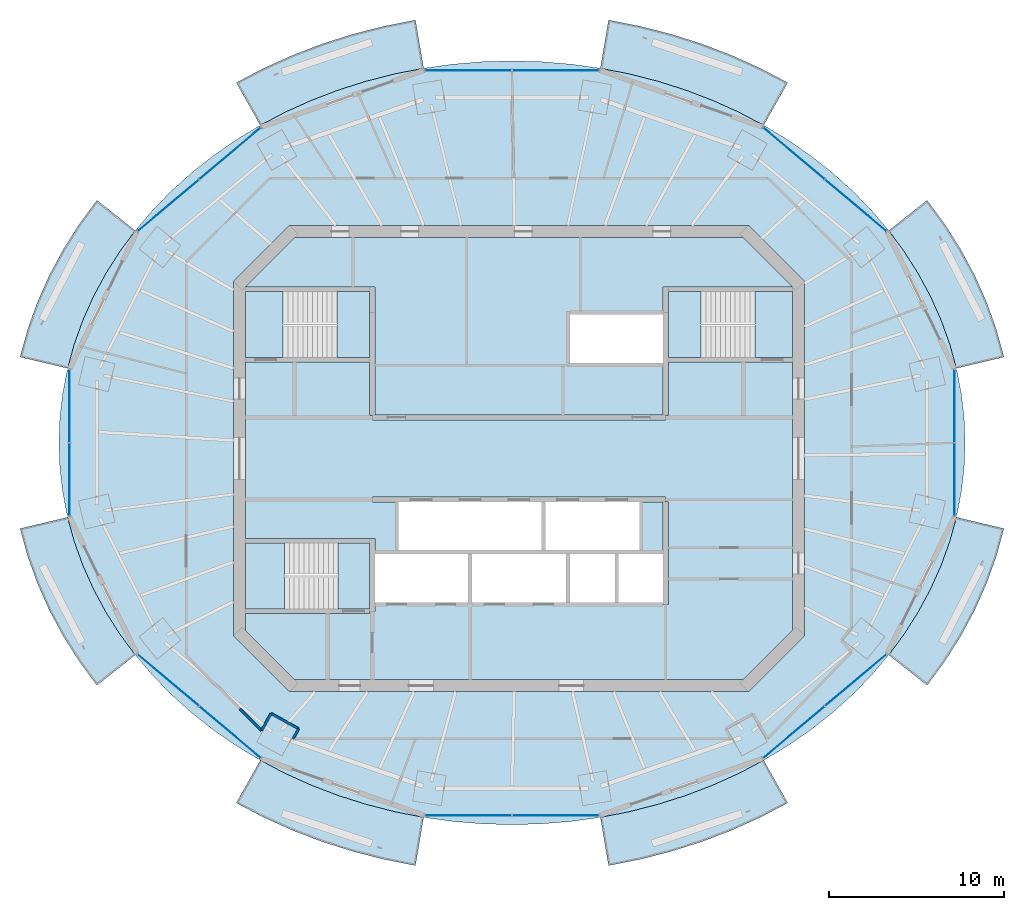
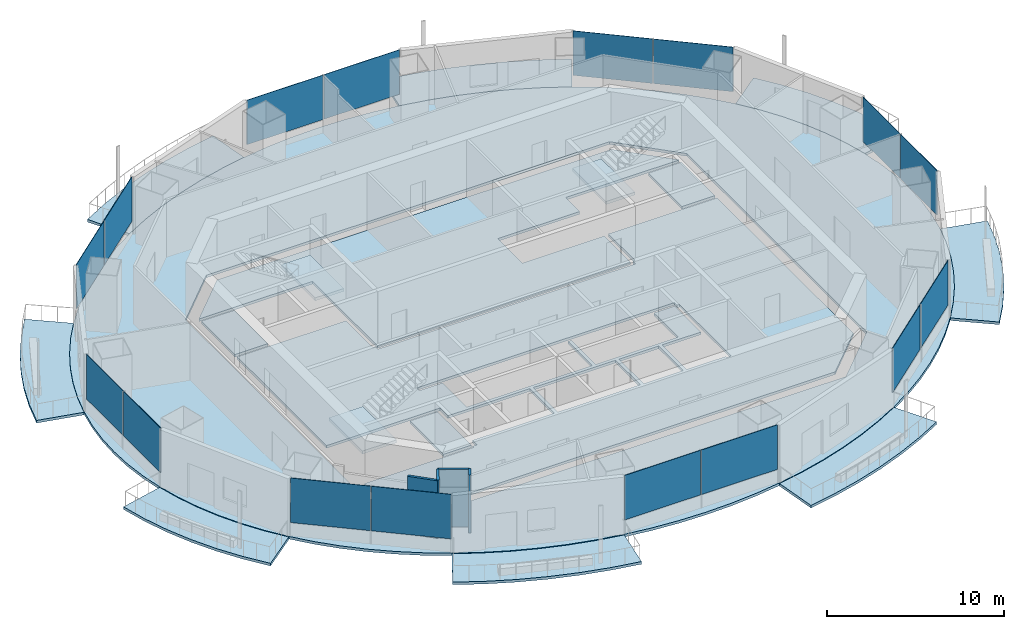
# One storey, part 7 of 16: 17 slabs, 16 plates, 4 walls, 11 elements without a shape of their own.
"""IFC4 building model written with IfcOpenShell, lengths in metres."""

from ifc_helpers import new_model, si_unit, direction, frame, frame_2d, origin, origin_2d, place, context, subcontext, project, spatial, polyline, rectangle, outline, extrude, material, layer, layer_set, type_object, element, aggregate, save


model = new_model("IFC4")

# Units and contexts
model_context = context("Model", 3, precision=1e-05, world=origin(), true_north=direction((0.0, 1.0)))
body_context = subcontext(model_context, "Body", "Model", "MODEL_VIEW")
ifc_project = project(units=[si_unit("LENGTHUNIT", "METRE"), si_unit("AREAUNIT", "SQUARE_METRE"), si_unit("VOLUMEUNIT", "CUBIC_METRE"), si_unit("PLANEANGLEUNIT", "RADIAN"), si_unit("MASSUNIT", "GRAM", prefix="KILO")], contexts=[model_context])

# Site, building, storey
site_placement = place(None, origin())
site = spatial("IfcSite", under=ifc_project, at=site_placement, CompositionType="ELEMENT")
building_placement = place(site_placement, origin())
building = spatial("IfcBuilding", under=site, at=building_placement, Name="Marenthal Gate Tower", CompositionType="ELEMENT")
storey_placement = place(building_placement, frame((0.0, 0.0, 371.64990234375)))
storey = spatial("IfcBuildingStorey", under=building, at=storey_placement, Name="L84", CompositionType="ELEMENT", Elevation=371.64990234375)

# Slabs
ifc_material_1 = material(Name="Concrete 40 MPa", Category="concrete")
ifc_layer_1 = layer(ifc_material_1, 0.179931640625)
ifc_layer_set_1 = layer_set([ifc_layer_1], Name="Balcony deck 180")
slab_type_1 = type_object("IfcSlabType", Name="Balcony deck 180", PredefinedType="USERDEFINED", material=ifc_layer_set_1)
slab_1_placement = place(storey_placement, frame((0.0, 0.0, -0.219970703125)))
element("IfcSlab", 1, at=slab_1_placement, inside=storey, type_object=slab_type_1, Name="Balcony deck L84 bay 1", ObjectType="BALCONY", PredefinedType="USERDEFINED", context=body_context, shape_type="SweptSolid", body=[
    extrude(outline(polyline([(25.04345703125, 5.16552734375), (24.657958984375, 6.55908203125), (24.165283203125, 7.92822265625), (23.5673828125, 9.267333984375), (22.86669921875, 10.570556640625), (22.06640625, 11.83251953125), (21.169921875, 13.047607421875), (23.3642578125, 14.786865234375), (24.37646484375, 13.414794921875), (25.283447265625, 11.984619140625), (26.080322265625, 10.50244140625), (26.762451171875, 8.974365234375), (27.326416015625, 7.407470703125), (27.7685546875, 5.808837890625), (25.04345703125, 5.16552734375)])), origin(), (0.0, 0.0, 1.0), 0.18017578125),
])
slab_2_placement = place(storey_placement, frame((0.0, 0.0, -0.219970703125)))
element("IfcSlab", 2, at=slab_2_placement, inside=storey, type_object=slab_type_1, Name="Balcony deck L84 bay 3", ObjectType="BALCONY", PredefinedType="USERDEFINED", context=body_context, shape_type="SweptSolid", body=[
    extrude(outline(polyline([(14.0126953125, 19.080078125), (12.571044921875, 19.835693359375), (11.073974609375, 20.510009765625), (9.527587890625, 21.1005859375), (7.938720703125, 21.6044921875), (6.314208984375, 22.02001953125), (4.660888671875, 22.344970703125), (5.1240234375, 25.1064453125), (6.93115234375, 24.751220703125), (8.708984375, 24.296630859375), (10.450439453125, 23.744140625), (12.148681640625, 23.095703125), (13.796142578125, 22.353271484375), (15.386474609375, 21.519775390625), (14.0126953125, 19.080078125)])), origin(), (0.0, 0.0, 1.0), 0.18017578125),
])
slab_3_placement = place(storey_placement, frame((0.0, 0.0, -0.219970703125)))
element("IfcSlab", 3, at=slab_3_placement, inside=storey, type_object=slab_type_1, Name="Balcony deck L84 bay 5", ObjectType="BALCONY", PredefinedType="USERDEFINED", context=body_context, shape_type="SweptSolid", body=[
    extrude(outline(polyline([(-5.4609375, 22.344970703125), (-7.1142578125, 22.02001953125), (-8.73876953125, 21.6044921875), (-10.32763671875, 21.1005859375), (-11.873779296875, 20.510009765625), (-13.37109375, 19.835693359375), (-14.8125, 19.080078125), (-16.1865234375, 21.519775390625), (-14.59619140625, 22.353271484375), (-12.948486328125, 23.095703125), (-11.25048828125, 23.744140625), (-9.509033203125, 24.296630859375), (-7.731201171875, 24.751220703125), (-5.924072265625, 25.1064453125), (-5.4609375, 22.344970703125)])), origin(), (0.0, 0.0, 1.0), 0.18017578125),
])
slab_4_placement = place(storey_placement, frame((0.0, 0.0, -0.219970703125)))
element("IfcSlab", 4, at=slab_4_placement, inside=storey, type_object=slab_type_1, Name="Balcony deck L84 bay 7", ObjectType="BALCONY", PredefinedType="USERDEFINED", context=body_context, shape_type="SweptSolid", body=[
    extrude(outline(polyline([(-21.969970703125, 13.047607421875), (-22.866455078125, 11.83251953125), (-23.666748046875, 10.570556640625), (-24.3671875, 9.267333984375), (-24.96533203125, 7.92822265625), (-25.4580078125, 6.55908203125), (-25.843505859375, 5.16552734375), (-28.568603515625, 5.808837890625), (-28.12646484375, 7.407470703125), (-27.5625, 8.974365234375), (-26.880126953125, 10.50244140625), (-26.08349609375, 11.984619140625), (-25.176513671875, 13.414794921875), (-24.1640625, 14.786865234375), (-21.969970703125, 13.047607421875)])), origin(), (0.0, 0.0, 1.0), 0.18017578125),
])
slab_5_placement = place(storey_placement, frame((0.0, 0.0, -0.219970703125)))
element("IfcSlab", 5, at=slab_5_placement, inside=storey, type_object=slab_type_1, Name="Balcony deck L84 bay 9", ObjectType="BALCONY", PredefinedType="USERDEFINED", context=body_context, shape_type="SweptSolid", body=[
    extrude(outline(polyline([(-25.843505859375, -3.365478515625), (-25.4580078125, -4.759033203125), (-24.96533203125, -6.12841796875), (-24.3671875, -7.46728515625), (-23.666748046875, -8.7705078125), (-22.866455078125, -10.032470703125), (-21.969970703125, -11.24755859375), (-24.1640625, -12.987060546875), (-25.176513671875, -11.61474609375), (-26.08349609375, -10.1845703125), (-26.880126953125, -8.702392578125), (-27.5625, -7.17431640625), (-28.12646484375, -5.607421875), (-28.568603515625, -4.0087890625), (-25.843505859375, -3.365478515625)])), origin(), (0.0, 0.0, 1.0), 0.18017578125),
])
slab_6_placement = place(storey_placement, frame((0.0, 0.0, -0.219970703125)))
element("IfcSlab", 6, at=slab_6_placement, inside=storey, type_object=slab_type_1, Name="Balcony deck L84 bay 11", ObjectType="BALCONY", PredefinedType="USERDEFINED", context=body_context, shape_type="SweptSolid", body=[
    extrude(outline(polyline([(-14.8125, -17.280029296875), (-13.37109375, -18.03564453125), (-11.873779296875, -18.710205078125), (-10.32763671875, -19.300537109375), (-8.73876953125, -19.8046875), (-7.1142578125, -20.219970703125), (-5.4609375, -20.544921875), (-5.924072265625, -23.306396484375), (-7.731201171875, -22.951171875), (-9.509033203125, -22.49658203125), (-11.25048828125, -21.944091796875), (-12.948486328125, -21.295654296875), (-14.59619140625, -20.55322265625), (-16.1865234375, -19.7197265625), (-14.8125, -17.280029296875)])), origin(), (0.0, 0.0, 1.0), 0.18017578125),
])
slab_7_placement = place(storey_placement, frame((0.0, 0.0, -0.219970703125)))
element("IfcSlab", 7, at=slab_7_placement, inside=storey, type_object=slab_type_1, Name="Balcony deck L84 bay 13", ObjectType="BALCONY", PredefinedType="USERDEFINED", context=body_context, shape_type="SweptSolid", body=[
    extrude(outline(polyline([(4.660888671875, -20.544921875), (6.314208984375, -20.219970703125), (7.938720703125, -19.8046875), (9.527587890625, -19.300537109375), (11.073974609375, -18.710205078125), (12.571044921875, -18.03564453125), (14.0126953125, -17.280029296875), (15.386474609375, -19.7197265625), (13.796142578125, -20.55322265625), (12.148681640625, -21.295654296875), (10.450439453125, -21.944091796875), (8.708984375, -22.49658203125), (6.93115234375, -22.951171875), (5.1240234375, -23.306396484375), (4.660888671875, -20.544921875)])), origin(), (0.0, 0.0, 1.0), 0.18017578125),
])
slab_8_placement = place(storey_placement, frame((0.0, 0.0, -0.219970703125)))
element("IfcSlab", 8, at=slab_8_placement, inside=storey, type_object=slab_type_1, Name="Balcony deck L84 bay 15", ObjectType="BALCONY", PredefinedType="USERDEFINED", context=body_context, shape_type="SweptSolid", body=[
    extrude(outline(polyline([(21.169921875, -11.24755859375), (22.06640625, -10.032470703125), (22.86669921875, -8.7705078125), (23.5673828125, -7.46728515625), (24.165283203125, -6.12841796875), (24.657958984375, -4.759033203125), (25.04345703125, -3.365478515625), (27.7685546875, -4.0087890625), (27.326416015625, -5.607421875), (26.762451171875, -7.17431640625), (26.080322265625, -8.702392578125), (25.283447265625, -10.1845703125), (24.37646484375, -11.61474609375), (23.3642578125, -12.987060546875), (21.169921875, -11.24755859375)])), origin(), (0.0, 0.0, 1.0), 0.18017578125),
])
ifc_material_2 = material(Name="Concrete 50 MPa", Category="concrete")
ifc_layer_2 = layer(ifc_material_2, 0.179931640625)
ifc_layer_set_2 = layer_set([ifc_layer_2], Name="Core floor slab 180")
slab_type_2 = type_object("IfcSlabType", Name="Core floor slab 180", PredefinedType="FLOOR", material=ifc_layer_set_2)
slab_9_placement = place(storey_placement, frame((0.0, 0.0, -0.179931640625)))
element("IfcSlab", 9, at=slab_9_placement, inside=storey, type_object=slab_type_2, Name="Core floor L84", PredefinedType="FLOOR", context=body_context, shape_type="SweptSolid", body=[
    extrude(outline(polyline([(12.85498046875, -12.64990234375), (-12.85498046875, -12.64990234375), (-15.64990234375, -9.85498046875), (-15.64990234375, -8.875), (-8.550048828125, -8.875), (-8.550048828125, -8.75), (-8.25, -8.75), (-8.25, -8.239990234375), (-5.60009765625, -8.239990234375), (-2.909912109375, -8.239990234375), (-2.909912109375, -5.4599609375), (-5.60009765625, -5.4599609375), (-8.25, -5.4599609375), (-8.25, -4.574951171875), (-8.550048828125, -4.574951171875), (-15.64990234375, -4.574951171875), (-15.64990234375, 5.52490234375), (-8.550048828125, 5.52490234375), (-8.550048828125, 2.5), (-8.39990234375, 2.5), (-8.39990234375, 2.199951171875), (8.39990234375, 2.199951171875), (8.39990234375, 2.5), (8.550048828125, 2.5), (8.550048828125, 5.52490234375), (15.64990234375, 5.52490234375), (15.64990234375, -9.85498046875), (12.85498046875, -12.64990234375)]), holes=[polyline([(0.0, -8.239990234375), (2.68994140625, -8.239990234375), (2.68994140625, -5.4599609375), (0.0, -5.4599609375), (-2.68994140625, -5.4599609375), (-2.68994140625, -8.239990234375), (0.0, -8.239990234375)]), polyline([(1.2900390625, -5.239990234375), (1.2900390625, -2.5), (1.510009765625, -2.5), (1.510009765625, -5.239990234375), (4.199951171875, -5.239990234375), (6.889892578125, -5.239990234375), (6.889892578125, -2.5), (8.25, -2.5), (8.25, -5.4599609375), (5.7099609375, -5.4599609375), (5.7099609375, -8.239990234375), (8.25, -8.239990234375), (8.25, -8.35009765625), (8.550048828125, -8.35009765625), (8.550048828125, -2.5), (8.39990234375, -2.5), (8.39990234375, -2.199951171875), (-8.39990234375, -2.199951171875), (-8.39990234375, -2.5), (-6.889892578125, -2.5), (-6.889892578125, -5.239990234375), (-4.199951171875, -5.239990234375), (-1.39990234375, -5.239990234375), (1.2900390625, -5.239990234375)]), polyline([(5.489990234375, -5.4599609375), (2.909912109375, -5.4599609375), (2.909912109375, -8.239990234375), (5.489990234375, -8.239990234375), (5.489990234375, -5.4599609375)])]), origin(), (0.0, 0.0, 1.0), 0.179931640625),
])
slab_10_placement = place(storey_placement, frame((0.0, 0.0, -0.179931640625)))
element("IfcSlab", 10, at=slab_10_placement, inside=storey, type_object=slab_type_2, Name="Core floor L84", PredefinedType="FLOOR", context=body_context, shape_type="SweptSolid", body=[
    extrude(outline(polyline([(15.64990234375, 5.77490234375), (13.5, 5.77490234375), (13.5, 9.574951171875), (15.64990234375, 9.574951171875), (15.64990234375, 5.77490234375)])), origin(), (0.0, 0.0, 1.0), 0.179931640625),
])
slab_11_placement = place(storey_placement, frame((0.0, 0.0, -0.179931640625)))
element("IfcSlab", 11, at=slab_11_placement, inside=storey, type_object=slab_type_2, Name="Core floor L84", PredefinedType="FLOOR", context=body_context, shape_type="SweptSolid", body=[
    extrude(outline(polyline([(15.64990234375, 9.824951171875), (8.550048828125, 9.824951171875), (8.25, 9.824951171875), (8.25, 8.35009765625), (8.25, 8.239990234375), (5.60009765625, 8.239990234375), (2.909912109375, 8.239990234375), (2.909912109375, 5.4599609375), (5.60009765625, 5.4599609375), (8.25, 5.4599609375), (8.25, 2.5), (-8.25, 2.5), (-8.25, 8.35009765625), (-8.25, 9.824951171875), (-8.550048828125, 9.824951171875), (-15.64990234375, 9.824951171875), (-15.64990234375, 9.85498046875), (-12.85498046875, 12.64990234375), (12.85498046875, 12.64990234375), (15.64990234375, 9.85498046875), (15.64990234375, 9.824951171875)])), origin(), (0.0, 0.0, 1.0), 0.179931640625),
])
slab_12_placement = place(storey_placement, frame((0.0, 0.0, -0.179931640625)))
element("IfcSlab", 12, at=slab_12_placement, inside=storey, type_object=slab_type_2, Name="Core floor L84", PredefinedType="FLOOR", context=body_context, shape_type="SweptSolid", body=[
    extrude(outline(polyline([(-15.64990234375, 9.574951171875), (-13.5, 9.574951171875), (-13.5, 5.77490234375), (-15.64990234375, 5.77490234375), (-15.64990234375, 9.574951171875)])), origin(), (0.0, 0.0, 1.0), 0.179931640625),
])
slab_13_placement = place(storey_placement, frame((0.0, 0.0, -0.179931640625)))
element("IfcSlab", 13, at=slab_13_placement, inside=storey, type_object=slab_type_2, Name="Core floor L84", PredefinedType="FLOOR", context=body_context, shape_type="SweptSolid", body=[
    extrude(outline(polyline([(-8.550048828125, -4.824951171875), (-8.550048828125, -8.625), (-10.35009765625, -8.625), (-10.35009765625, -4.824951171875), (-8.550048828125, -4.824951171875)])), origin(), (0.0, 0.0, 1.0), 0.179931640625),
])
ifc_material_3 = material(Name="Concrete 35 MPa", Category="concrete")
ifc_layer_3 = layer(ifc_material_3, 0.179931640625)
ifc_layer_set_3 = layer_set([ifc_layer_3], Name="Floor slab 180")
slab_type_3 = type_object("IfcSlabType", Name="Floor slab 180", PredefinedType="FLOOR", material=ifc_layer_set_3)
slab_14_placement = place(storey_placement, frame((0.0, 0.0, -0.179931640625)))
element("IfcSlab", 14, at=slab_14_placement, inside=storey, type_object=slab_type_3, Name="SL-L84-01", PredefinedType="FLOOR", context=body_context, shape_type="SweptSolid", body=[
    extrude(outline(polyline([(25.5419921875, 0.89990234375), (25.486572265625, 2.330078125), (25.320068359375, 3.75390625), (25.04345703125, 5.16552734375), (24.657958984375, 6.55908203125), (24.165283203125, 7.92822265625), (23.5673828125, 9.267333984375), (22.86669921875, 10.570556640625), (22.06640625, 11.83251953125), (21.169921875, 13.047607421875), (20.18115234375, 14.210693359375), (19.104248046875, 15.316650390625), (17.94384765625, 16.36083984375), (16.70458984375, 17.339111328125), (15.392578125, 18.24658203125), (14.0126953125, 19.080078125), (12.571044921875, 19.835693359375), (11.073974609375, 20.510009765625), (9.527587890625, 21.1005859375), (7.938720703125, 21.6044921875), (6.314208984375, 22.02001953125), (4.660888671875, 22.344970703125), (2.986083984375, 22.577880859375), (1.296630859375, 22.71826171875), (-0.39990234375, 22.764892578125), (-2.0966796875, 22.71826171875), (-3.7861328125, 22.577880859375), (-5.4609375, 22.344970703125), (-7.1142578125, 22.02001953125), (-8.73876953125, 21.6044921875), (-10.32763671875, 21.1005859375), (-11.873779296875, 20.510009765625), (-13.37109375, 19.835693359375), (-14.8125, 19.080078125), (-16.1923828125, 18.24658203125), (-17.504638671875, 17.339111328125), (-18.743896484375, 16.36083984375), (-19.904296875, 15.316650390625), (-20.981201171875, 14.210693359375), (-21.969970703125, 13.047607421875), (-22.866455078125, 11.83251953125), (-23.666748046875, 10.570556640625), (-24.3671875, 9.267333984375), (-24.96533203125, 7.92822265625), (-25.4580078125, 6.55908203125), (-25.843505859375, 5.16552734375), (-26.1201171875, 3.75390625), (-26.28662109375, 2.330078125), (-26.342041015625, 0.89990234375), (-26.28662109375, -0.530029296875), (-26.1201171875, -1.9541015625), (-25.843505859375, -3.365478515625), (-25.4580078125, -4.759033203125), (-24.96533203125, -6.12841796875), (-24.3671875, -7.46728515625), (-23.666748046875, -8.7705078125), (-22.866455078125, -10.032470703125), (-21.969970703125, -11.24755859375), (-20.981201171875, -12.41064453125), (-19.904296875, -13.5166015625), (-18.743896484375, -14.560791015625), (-17.504638671875, -15.5390625), (-16.1923828125, -16.44677734375), (-14.8125, -17.280029296875), (-13.37109375, -18.03564453125), (-11.873779296875, -18.710205078125), (-10.32763671875, -19.300537109375), (-8.73876953125, -19.8046875), (-7.1142578125, -20.219970703125), (-5.4609375, -20.544921875), (-3.7861328125, -20.77783203125), (-2.0966796875, -20.918212890625), (-0.39990234375, -20.965087890625), (1.296630859375, -20.918212890625), (2.986083984375, -20.77783203125), (4.660888671875, -20.544921875), (6.314208984375, -20.219970703125), (7.938720703125, -19.8046875), (9.527587890625, -19.300537109375), (11.073974609375, -18.710205078125), (12.571044921875, -18.03564453125), (14.0126953125, -17.280029296875), (15.392578125, -16.44677734375), (16.70458984375, -15.5390625), (17.94384765625, -14.560791015625), (19.104248046875, -13.5166015625), (20.18115234375, -12.41064453125), (21.169921875, -11.24755859375), (22.06640625, -10.032470703125), (22.86669921875, -8.7705078125), (23.5673828125, -7.46728515625), (24.165283203125, -6.12841796875), (24.657958984375, -4.759033203125), (25.04345703125, -3.365478515625), (25.320068359375, -1.9541015625), (25.486572265625, -0.530029296875), (25.5419921875, 0.89990234375)]), holes=[polyline([(13.14501953125, -13.35009765625), (16.35009765625, -10.14501953125), (16.35009765625, 10.14501953125), (13.14501953125, 13.35009765625), (-13.14501953125, 13.35009765625), (-16.35009765625, 10.14501953125), (-16.35009765625, -10.14501953125), (-13.14501953125, -13.35009765625), (13.14501953125, -13.35009765625)])]), origin(), (0.0, 0.0, 1.0), 0.179931640625),
])

# Curtain wall, plates
ifc_material_4 = material(Name="Aluminium and glass", Category="aluminium")
curtain_wall_type = type_object("IfcCurtainWallType", Name="Curtain wall typical high", PredefinedType="NOTDEFINED", material=ifc_material_4)
curtain_wall_1_placement = place(storey_placement, origin())
curtain_wall_1 = element("IfcCurtainWall", 15, at=curtain_wall_1_placement, inside=storey, type_object=curtain_wall_type, Name="Curtain wall L84 bay 2", PredefinedType="NOTDEFINED")
ifc_material_5 = material(Name="Glass, laminated insulating unit", Category="glass")
ifc_layer_4 = layer(ifc_material_5, 0.031982421875)
ifc_layer_set_4 = layer_set([ifc_layer_4], Name="Glass panel 32 typical high")
plate_type = type_object("IfcPlateType", Name="Glass panel 32 typical high", PredefinedType="CURTAIN_PANEL", material=ifc_layer_set_4)
plate_1_placement = place(storey_placement, frame((19.277587890625, 14.490478515625, 0.89990234375), z_axis=(0.0, 0.0, 1.0), x_axis=(-0.764911754961, 0.64413508453, 0.0)))
plate_1 = element("IfcPlate", 16, at=plate_1_placement, type_object=plate_type, Name="Glass panel L84 bay 2.1", PredefinedType="CURTAIN_PANEL", context=body_context, shape_type="SweptSolid", body=[
    extrude(rectangle(XDim=4.56689453125, YDim=0.031982421875, at=origin_2d()), origin(), (0.0, 0.0, 1.0), 3.070068359375),
])
plate_2_placement = place(storey_placement, frame((15.738525390625, 17.470703125, 0.89990234375), z_axis=(0.0, 0.0, 1.0), x_axis=(-0.764911754961, 0.64413508453, 0.0)))
plate_2 = element("IfcPlate", 17, at=plate_2_placement, type_object=plate_type, Name="Glass panel L84 bay 2.2", PredefinedType="CURTAIN_PANEL", context=body_context, shape_type="SweptSolid", body=[
    extrude(rectangle(XDim=4.56689453125, YDim=0.031982421875, at=origin_2d()), origin(), (0.0, 0.0, 1.0), 3.070068359375),
])
aggregate(curtain_wall_1, [plate_1, plate_2])

curtain_wall_2_placement = place(storey_placement, origin())
curtain_wall_2 = element("IfcCurtainWall", 18, at=curtain_wall_2_placement, inside=storey, type_object=curtain_wall_type, Name="Curtain wall L84 bay 4", PredefinedType="NOTDEFINED")
plate_3_placement = place(storey_placement, frame((2.103759765625, 22.227294921875, 0.89990234375), z_axis=(0.0, 0.0, 1.0), x_axis=(-1.0, 0.0, 0.0)))
plate_3 = element("IfcPlate", 19, at=plate_3_placement, type_object=plate_type, Name="Glass panel L84 bay 4.1", PredefinedType="CURTAIN_PANEL", context=body_context, shape_type="SweptSolid", body=[
    extrude(rectangle(XDim=4.947509765625, YDim=0.031982421875, at=origin_2d()), origin(), (0.0, 0.0, 1.0), 3.070068359375),
])
plate_4_placement = place(storey_placement, frame((-2.90380859375, 22.227294921875, 0.89990234375), z_axis=(0.0, 0.0, 1.0), x_axis=(-1.0, 0.0, 0.0)))
plate_4 = element("IfcPlate", 20, at=plate_4_placement, type_object=plate_type, Name="Glass panel L84 bay 4.2", PredefinedType="CURTAIN_PANEL", context=body_context, shape_type="SweptSolid", body=[
    extrude(rectangle(XDim=4.947509765625, YDim=0.031982421875, at=origin_2d()), origin(), (0.0, 0.0, 1.0), 3.070068359375),
])
aggregate(curtain_wall_2, [plate_3, plate_4])

curtain_wall_3_placement = place(storey_placement, origin())
curtain_wall_3 = element("IfcCurtainWall", 21, at=curtain_wall_3_placement, inside=storey, type_object=curtain_wall_type, Name="Curtain wall L84 bay 6", PredefinedType="NOTDEFINED")
plate_5_placement = place(storey_placement, frame((-16.538330078125, 17.470703125, 0.89990234375), z_axis=(0.0, 0.0, 1.0), x_axis=(-0.764911754961, -0.64413508453, 0.0)))
plate_5 = element("IfcPlate", 22, at=plate_5_placement, type_object=plate_type, Name="Glass panel L84 bay 6.1", PredefinedType="CURTAIN_PANEL", context=body_context, shape_type="SweptSolid", body=[
    extrude(rectangle(XDim=4.56689453125, YDim=0.031982421875, at=origin_2d()), origin(), (0.0, 0.0, 1.0), 3.070068359375),
])
plate_6_placement = place(storey_placement, frame((-20.07763671875, 14.490478515625, 0.89990234375), z_axis=(0.0, 0.0, 1.0), x_axis=(-0.764911754961, -0.64413508453, 0.0)))
plate_6 = element("IfcPlate", 23, at=plate_6_placement, type_object=plate_type, Name="Glass panel L84 bay 6.2", PredefinedType="CURTAIN_PANEL", context=body_context, shape_type="SweptSolid", body=[
    extrude(rectangle(XDim=4.56689453125, YDim=0.031982421875, at=origin_2d()), origin(), (0.0, 0.0, 1.0), 3.070068359375),
])
aggregate(curtain_wall_3, [plate_5, plate_6])

curtain_wall_4_placement = place(storey_placement, origin())
curtain_wall_4 = element("IfcCurtainWall", 24, at=curtain_wall_4_placement, inside=storey, type_object=curtain_wall_type, Name="Curtain wall L84 bay 8", PredefinedType="NOTDEFINED")
plate_7_placement = place(storey_placement, frame((-25.725830078125, 3.006103515625, 0.89990234375), z_axis=(0.0, 0.0, 1.0), x_axis=(0.0, -1.0, 0.0)))
plate_7 = element("IfcPlate", 25, at=plate_7_placement, type_object=plate_type, Name="Glass panel L84 bay 8.1", PredefinedType="CURTAIN_PANEL", context=body_context, shape_type="SweptSolid", body=[
    extrude(rectangle(XDim=4.152099609375, YDim=0.031982421875, at=origin_2d()), origin(), (0.0, 0.0, 1.0), 3.070068359375),
])
plate_8_placement = place(storey_placement, frame((-25.725830078125, -1.2060546875, 0.89990234375), z_axis=(0.0, 0.0, 1.0), x_axis=(0.0, -1.0, 0.0)))
plate_8 = element("IfcPlate", 26, at=plate_8_placement, type_object=plate_type, Name="Glass panel L84 bay 8.2", PredefinedType="CURTAIN_PANEL", context=body_context, shape_type="SweptSolid", body=[
    extrude(rectangle(XDim=4.152099609375, YDim=0.031982421875, at=origin_2d()), origin(), (0.0, 0.0, 1.0), 3.070068359375),
])
aggregate(curtain_wall_4, [plate_7, plate_8])

curtain_wall_5_placement = place(storey_placement, origin())
curtain_wall_5 = element("IfcCurtainWall", 27, at=curtain_wall_5_placement, inside=storey, type_object=curtain_wall_type, Name="Curtain wall L84 bay 10", PredefinedType="NOTDEFINED")
plate_9_placement = place(storey_placement, frame((-20.07763671875, -12.6904296875, 0.89990234375), z_axis=(0.0, 0.0, 1.0), x_axis=(0.764911754961, -0.64413508453, 0.0)))
plate_9 = element("IfcPlate", 28, at=plate_9_placement, type_object=plate_type, Name="Glass panel L84 bay 10.1", PredefinedType="CURTAIN_PANEL", context=body_context, shape_type="SweptSolid", body=[
    extrude(rectangle(XDim=4.56689453125, YDim=0.031982421875, at=origin_2d()), origin(), (0.0, 0.0, 1.0), 3.070068359375),
])
plate_10_placement = place(storey_placement, frame((-16.53857421875, -15.6708984375, 0.89990234375), z_axis=(0.0, 0.0, 1.0), x_axis=(0.764911754961, -0.64413508453, 0.0)))
plate_10 = element("IfcPlate", 29, at=plate_10_placement, type_object=plate_type, Name="Glass panel L84 bay 10.2", PredefinedType="CURTAIN_PANEL", context=body_context, shape_type="SweptSolid", body=[
    extrude(rectangle(XDim=4.56689453125, YDim=0.031982421875, at=origin_2d()), origin(), (0.0, 0.0, 1.0), 3.070068359375),
])
aggregate(curtain_wall_5, [plate_9, plate_10])

curtain_wall_6_placement = place(storey_placement, origin())
curtain_wall_6 = element("IfcCurtainWall", 30, at=curtain_wall_6_placement, inside=storey, type_object=curtain_wall_type, Name="Curtain wall L84 bay 12", PredefinedType="NOTDEFINED")
plate_11_placement = place(storey_placement, frame((-2.90380859375, -20.42724609375, 0.89990234375), z_axis=(0.0, 0.0, 1.0), x_axis=(1.0, 0.0, 0.0)))
plate_11 = element("IfcPlate", 31, at=plate_11_placement, type_object=plate_type, Name="Glass panel L84 bay 12.1", PredefinedType="CURTAIN_PANEL", context=body_context, shape_type="SweptSolid", body=[
    extrude(rectangle(XDim=4.947509765625, YDim=0.031982421875, at=origin_2d()), origin(), (0.0, 0.0, 1.0), 3.070068359375),
])
plate_12_placement = place(storey_placement, frame((2.103759765625, -20.42724609375, 0.89990234375), z_axis=(0.0, 0.0, 1.0), x_axis=(1.0, 0.0, 0.0)))
plate_12 = element("IfcPlate", 32, at=plate_12_placement, type_object=plate_type, Name="Glass panel L84 bay 12.2", PredefinedType="CURTAIN_PANEL", context=body_context, shape_type="SweptSolid", body=[
    extrude(rectangle(XDim=4.947509765625, YDim=0.031982421875, at=origin_2d()), origin(), (0.0, 0.0, 1.0), 3.070068359375),
])
aggregate(curtain_wall_6, [plate_11, plate_12])

curtain_wall_7_placement = place(storey_placement, origin())
curtain_wall_7 = element("IfcCurtainWall", 33, at=curtain_wall_7_placement, inside=storey, type_object=curtain_wall_type, Name="Curtain wall L84 bay 14", PredefinedType="NOTDEFINED")
plate_13_placement = place(storey_placement, frame((15.738525390625, -15.6708984375, 0.89990234375), z_axis=(0.0, 0.0, 1.0), x_axis=(0.764911754961, 0.64413508453, 0.0)))
plate_13 = element("IfcPlate", 34, at=plate_13_placement, type_object=plate_type, Name="Glass panel L84 bay 14.1", PredefinedType="CURTAIN_PANEL", context=body_context, shape_type="SweptSolid", body=[
    extrude(rectangle(XDim=4.56689453125, YDim=0.031982421875, at=origin_2d()), origin(), (0.0, 0.0, 1.0), 3.070068359375),
])
plate_14_placement = place(storey_placement, frame((19.277587890625, -12.6904296875, 0.89990234375), z_axis=(0.0, 0.0, 1.0), x_axis=(0.764911754961, 0.64413508453, 0.0)))
plate_14 = element("IfcPlate", 35, at=plate_14_placement, type_object=plate_type, Name="Glass panel L84 bay 14.2", PredefinedType="CURTAIN_PANEL", context=body_context, shape_type="SweptSolid", body=[
    extrude(rectangle(XDim=4.56689453125, YDim=0.031982421875, at=origin_2d()), origin(), (0.0, 0.0, 1.0), 3.070068359375),
])
aggregate(curtain_wall_7, [plate_13, plate_14])

curtain_wall_8_placement = place(storey_placement, origin())
curtain_wall_8 = element("IfcCurtainWall", 36, at=curtain_wall_8_placement, inside=storey, type_object=curtain_wall_type, Name="Curtain wall L84 bay 16", PredefinedType="NOTDEFINED")
plate_15_placement = place(storey_placement, frame((24.92578125, -1.2060546875, 0.89990234375), z_axis=(0.0, 0.0, 1.0), x_axis=(0.0, 1.0, 0.0)))
plate_15 = element("IfcPlate", 37, at=plate_15_placement, type_object=plate_type, Name="Glass panel L84 bay 16.1", PredefinedType="CURTAIN_PANEL", context=body_context, shape_type="SweptSolid", body=[
    extrude(rectangle(XDim=4.152099609375, YDim=0.031982421875, at=origin_2d()), origin(), (0.0, 0.0, 1.0), 3.070068359375),
])
plate_16_placement = place(storey_placement, frame((24.92578125, 3.006103515625, 0.89990234375), z_axis=(0.0, 0.0, 1.0), x_axis=(0.0, 1.0, 0.0)))
plate_16 = element("IfcPlate", 38, at=plate_16_placement, type_object=plate_type, Name="Glass panel L84 bay 16.2", PredefinedType="CURTAIN_PANEL", context=body_context, shape_type="SweptSolid", body=[
    extrude(rectangle(XDim=4.152099609375, YDim=0.031982421875, at=origin_2d()), origin(), (0.0, 0.0, 1.0), 3.070068359375),
])
aggregate(curtain_wall_8, [plate_15, plate_16])

# Stair, slab
ifc_material_6 = material(Name="Concrete 40 MPa", Category="concrete")
stair_type = type_object("IfcStairType", Name="Exit stair 1800", PredefinedType="HALF_TURN_STAIR", material=ifc_material_6)
stair_1_placement = place(storey_placement, origin())
stair_1 = element("IfcStair", 39, at=stair_1_placement, inside=storey, type_object=stair_type, Name="Stair ST1", PredefinedType="HALF_TURN_STAIR")
ifc_material_7 = material(Name="Concrete 40 MPa", Category="concrete")
ifc_layer_5 = layer(ifc_material_7, 0.199951171875)
ifc_layer_set_5 = layer_set([ifc_layer_5], Name="Stair landing 200")
slab_type_4 = type_object("IfcSlabType", Name="Stair landing 200", PredefinedType="LANDING", material=ifc_layer_set_5)
slab_15_placement = place(storey_placement, frame((0.0, 0.0, 1.875)))
slab_15 = element("IfcSlab", 40, at=slab_15_placement, type_object=slab_type_4, Name="ST1 landing 1", PredefinedType="LANDING", context=body_context, shape_type="SweptSolid", body=[
    extrude(outline(polyline([(-10.419921875, 5.77490234375), (-8.550048828125, 5.77490234375), (-8.550048828125, 9.574951171875), (-10.419921875, 9.574951171875), (-10.419921875, 5.77490234375)])), origin(), (0.0, 0.0, 1.0), 0.2001953125),
])
aggregate(stair_1, [slab_15])

stair_2_placement = place(storey_placement, origin())
stair_2 = element("IfcStair", 41, at=stair_2_placement, inside=storey, type_object=stair_type, Name="Stair ST2", PredefinedType="HALF_TURN_STAIR")
slab_16_placement = place(storey_placement, frame((0.0, 0.0, 1.875)))
slab_16 = element("IfcSlab", 42, at=slab_16_placement, type_object=slab_type_4, Name="ST2 landing 1", PredefinedType="LANDING", context=body_context, shape_type="SweptSolid", body=[
    extrude(outline(polyline([(-15.64990234375, -8.625), (-13.429931640625, -8.625), (-13.429931640625, -4.824951171875), (-15.64990234375, -4.824951171875), (-15.64990234375, -8.625)])), origin(), (0.0, 0.0, 1.0), 0.2001953125),
])
aggregate(stair_2, [slab_16])

stair_3_placement = place(storey_placement, origin())
stair_3 = element("IfcStair", 43, at=stair_3_placement, inside=storey, type_object=stair_type, Name="Stair ST3", PredefinedType="HALF_TURN_STAIR")
slab_17_placement = place(storey_placement, frame((0.0, 0.0, 1.875)))
slab_17 = element("IfcSlab", 44, at=slab_17_placement, type_object=slab_type_4, Name="ST3 landing 1", PredefinedType="LANDING", context=body_context, shape_type="SweptSolid", body=[
    extrude(outline(polyline([(8.550048828125, 5.77490234375), (10.419921875, 5.77490234375), (10.419921875, 9.574951171875), (8.550048828125, 9.574951171875), (8.550048828125, 5.77490234375)])), origin(), (0.0, 0.0, 1.0), 0.2001953125),
])
aggregate(stair_3, [slab_17])

# Walls
ifc_material_8 = material(Name="Gypsum board on steel studs", Category="steel")
ifc_layer_6 = layer(ifc_material_8, 0.14990234375)
ifc_layer_set_6 = layer_set([ifc_layer_6], Name="Partition 150")
wall_type = type_object("IfcWallType", Name="Partition 150", PredefinedType="PARTITIONING", material=ifc_layer_set_6)
wall_1_placement = place(storey_placement, frame((-14.73681640625, -15.57666015625, 0.0), z_axis=(0.0, 0.0, 1.0), x_axis=(-0.707106781187, 0.707106781187, 0.0)))
element("IfcWall", 45, at=wall_1_placement, inside=storey, type_object=wall_type, Name="Partition wall 55", PredefinedType="PARTITIONING", context=body_context, shape_type="SweptSolid", body=[
    extrude(rectangle(XDim=1.776123046875, YDim=0.14990234375, at=frame_2d((0.88818359375, 0.0))), origin(), (0.0, 0.0, 1.0), 3.97021484375),
])
wall_2_placement = place(storey_placement, frame((-14.193115234375, -14.59912109375, 0.0), z_axis=(0.0, 0.0, 1.0), x_axis=(-0.486069101746, -0.873920378712, 0.0)))
element("IfcWall", 46, at=wall_2_placement, inside=storey, type_object=wall_type, Name="Partition wall 57", PredefinedType="PARTITIONING", context=body_context, shape_type="SweptSolid", body=[
    extrude(rectangle(XDim=1.11865234375, YDim=0.14990234375, at=frame_2d((0.559326171875, 0.0))), origin(), (0.0, 0.0, 1.0), 3.97021484375),
])
wall_3_placement = place(storey_placement, frame((-12.9404296875, -16.050048828125, 0.0), z_axis=(0.0, 0.0, 1.0), x_axis=(0.48586284539, 0.874035065355, 0.0)))
element("IfcWall", 47, at=wall_3_placement, inside=storey, type_object=wall_type, Name="Partition wall 58", PredefinedType="PARTITIONING", context=body_context, shape_type="SweptSolid", body=[
    extrude(rectangle(XDim=0.65966796875, YDim=0.14990234375, at=frame_2d((0.329833984375, 0.0))), origin(), (0.0, 0.0, 1.0), 3.97021484375),
])
wall_4_placement = place(storey_placement, frame((-12.619873046875, -15.473388671875, 0.0), z_axis=(0.0, 0.0, 1.0), x_axis=(-0.874099684617, 0.485746581411, 0.0)))
element("IfcWall", 48, at=wall_4_placement, inside=storey, type_object=wall_type, Name="Partition wall 59", PredefinedType="PARTITIONING", context=body_context, shape_type="SweptSolid", body=[
    extrude(rectangle(XDim=1.7998046875, YDim=0.14990234375, at=frame_2d((0.89990234375, 0.0))), origin(), (0.0, 0.0, 1.0), 3.97021484375),
])

save(model, "model.ifc")
